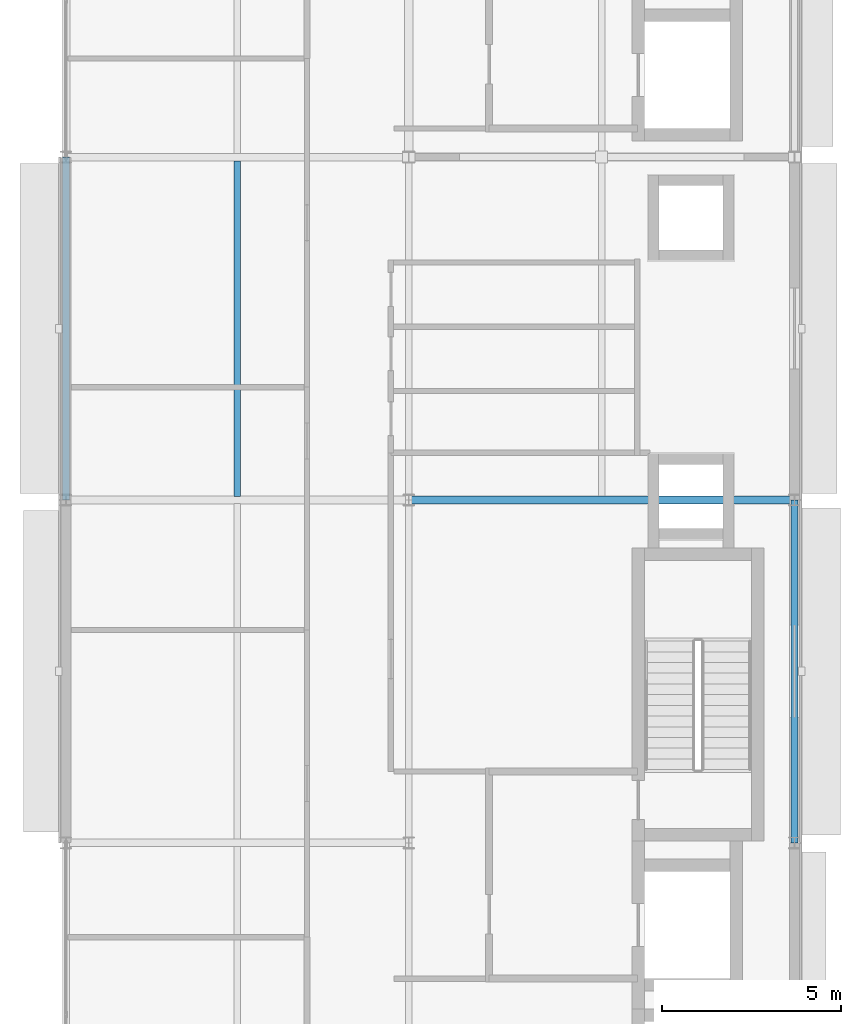
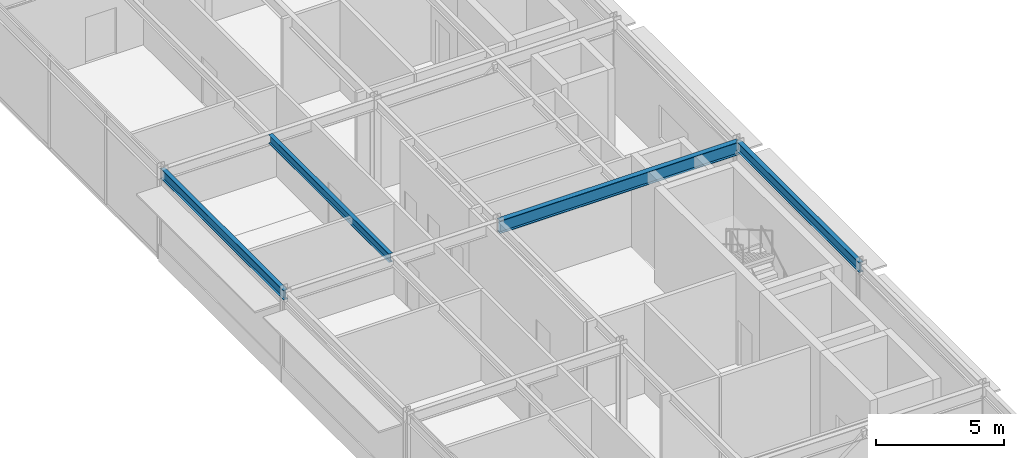
# One storey, part 7 of 18: 4 beams.
"""IFC4 building model written with IfcOpenShell, lengths in metres."""

from ifc_helpers import new_model, si_unit, direction, frame, origin, origin_2d, place, context, subcontext, project, spatial, i_section, extrude, material, material_profile, profile_set, type_object, element, save


model = new_model("IFC4")

# Units and contexts
model_context = context("Model", 3, precision=1e-05, world=origin(), true_north=direction((0.0, 1.0)))
body_context = subcontext(model_context, "Body", "Model", "MODEL_VIEW")
ifc_project = project(units=[si_unit("LENGTHUNIT", "METRE"), si_unit("AREAUNIT", "SQUARE_METRE"), si_unit("VOLUMEUNIT", "CUBIC_METRE"), si_unit("PLANEANGLEUNIT", "RADIAN"), si_unit("MASSUNIT", "GRAM", prefix="KILO")], contexts=[model_context])

# Site, building, storey
site_placement = place(None, origin())
site = spatial("IfcSite", under=ifc_project, at=site_placement, CompositionType="ELEMENT")
building_placement = place(site_placement, origin())
building = spatial("IfcBuilding", under=site, at=building_placement, Name="Almandine Court Research Institute", CompositionType="ELEMENT")
storey_placement = place(building_placement, frame((0.0, 0.0, 37.10009765625)))
storey = spatial("IfcBuildingStorey", under=building, at=storey_placement, Name="L08", CompositionType="ELEMENT", Elevation=37.10009765625)

# Beams
ifc_material = material(Name="Steel ASTM A992 Grade 50", Category="steel")
ifc_material_profile_1 = material_profile(ifc_material, i_section(OverallWidth=0.18994140625, OverallDepth=0.45703125, WebThickness=0.009033203125, FlangeThickness=0.014892578125, at=origin_2d()), Name="W460x74")
ifc_profile_set_1 = profile_set([ifc_material_profile_1], Name="Steel ASTM A992 Grade 50")
beam_type_1 = type_object("IfcBeamType", Name="Beam-B-01", PredefinedType="BEAM", material=ifc_profile_set_1)
beam_1_placement = place(storey_placement, frame((153.60009765625, 34.800048828125, 4.156982421875), z_axis=(0.0, 1.0, 0.0), x_axis=(-1.0, 0.0, 0.0)))
element("IfcBeam", 1, at=beam_1_placement, inside=storey, type_object=beam_type_1, Name="L08 V4 Primary Y Girder", PredefinedType="BEAM", context=body_context, shape_type="SweptSolid", body=[
    extrude(i_section(OverallWidth=0.18994140625, OverallDepth=0.45703125, WebThickness=0.009033203125, FlangeThickness=0.014892578125, at=origin_2d()), origin(), (0.0, 0.0, 1.0), 9.599853515625),
])
ifc_material_profile_2 = material_profile(ifc_material, i_section(OverallWidth=0.178955078125, OverallDepth=0.409912109375, WebThickness=0.009033203125, FlangeThickness=0.013916015625, at=origin_2d()), Name="W410x67")
ifc_profile_set_2 = profile_set([ifc_material_profile_2], Name="Steel ASTM A992 Grade 50")
beam_type_2 = type_object("IfcBeamType", Name="Beam-B-02", PredefinedType="JOIST", material=ifc_profile_set_2)
beam_2_placement = place(storey_placement, frame((158.39990234375, 34.903076171875, 4.179931640625), z_axis=(0.0, 1.0, 0.0), x_axis=(-1.0, 0.0, 0.0)))
element("IfcBeam", 2, at=beam_2_placement, inside=storey, type_object=beam_type_2, Name="L08 V4 Composite Secondary Beam", PredefinedType="JOIST", context=body_context, shape_type="SweptSolid", body=[
    extrude(i_section(OverallWidth=0.178955078125, OverallDepth=0.409912109375, WebThickness=0.009033203125, FlangeThickness=0.013916015625, at=origin_2d()), origin(), (0.0, 0.0, 1.0), 9.39404296875),
])
ifc_material_profile_3 = material_profile(ifc_material, i_section(OverallWidth=0.22998046875, OverallDepth=0.616943359375, WebThickness=0.012939453125, FlangeThickness=0.02197265625, at=origin_2d()), Name="W610x140")
ifc_profile_set_3 = profile_set([ifc_material_profile_3], Name="Steel ASTM A992 Grade 50")
beam_type_3 = type_object("IfcBeamType", Name="Beam-G-02", PredefinedType="BEAM", material=ifc_profile_set_3)
beam_3_placement = place(storey_placement, frame((163.199951171875, 34.800048828125, 4.075927734375), z_axis=(1.0, 0.0, 0.0), x_axis=(0.0, 1.0, 0.0)))
element("IfcBeam", 3, at=beam_3_placement, inside=storey, type_object=beam_type_3, Name="L08 V4 Primary X Girder", PredefinedType="BEAM", context=body_context, shape_type="SweptSolid", body=[
    extrude(i_section(OverallWidth=0.22998046875, OverallDepth=0.616943359375, WebThickness=0.012939453125, FlangeThickness=0.02197265625, at=origin_2d()), origin(), (0.0, 0.0, 1.0), 10.800048828125),
])
ifc_material_profile_4 = material_profile(ifc_material, i_section(OverallWidth=0.193115234375, OverallDepth=0.466064453125, WebThickness=0.010986328125, FlangeThickness=0.01904296875, at=origin_2d()), Name="W460x97")
ifc_profile_set_4 = profile_set([ifc_material_profile_4], Name="Steel ASTM A992 Grade 50")
beam_type_4 = type_object("IfcBeamType", Name="Beam-G-06-E", PredefinedType="SPANDREL", material=ifc_profile_set_4)
beam_4_placement = place(storey_placement, frame((174.0, 25.199951171875, 4.15185546875), z_axis=(0.0, 1.0, 0.0), x_axis=(-1.0, 0.0, 0.0)))
element("IfcBeam", 4, at=beam_4_placement, inside=storey, type_object=beam_type_4, Name="L08 V4 Primary Y Girder", PredefinedType="SPANDREL", context=body_context, shape_type="SweptSolid", body=[
    extrude(i_section(OverallWidth=0.193115234375, OverallDepth=0.466064453125, WebThickness=0.010986328125, FlangeThickness=0.01904296875, at=origin_2d()), origin(), (0.0, 0.0, 1.0), 9.60009765625),
])

save(model, "model.ifc")
